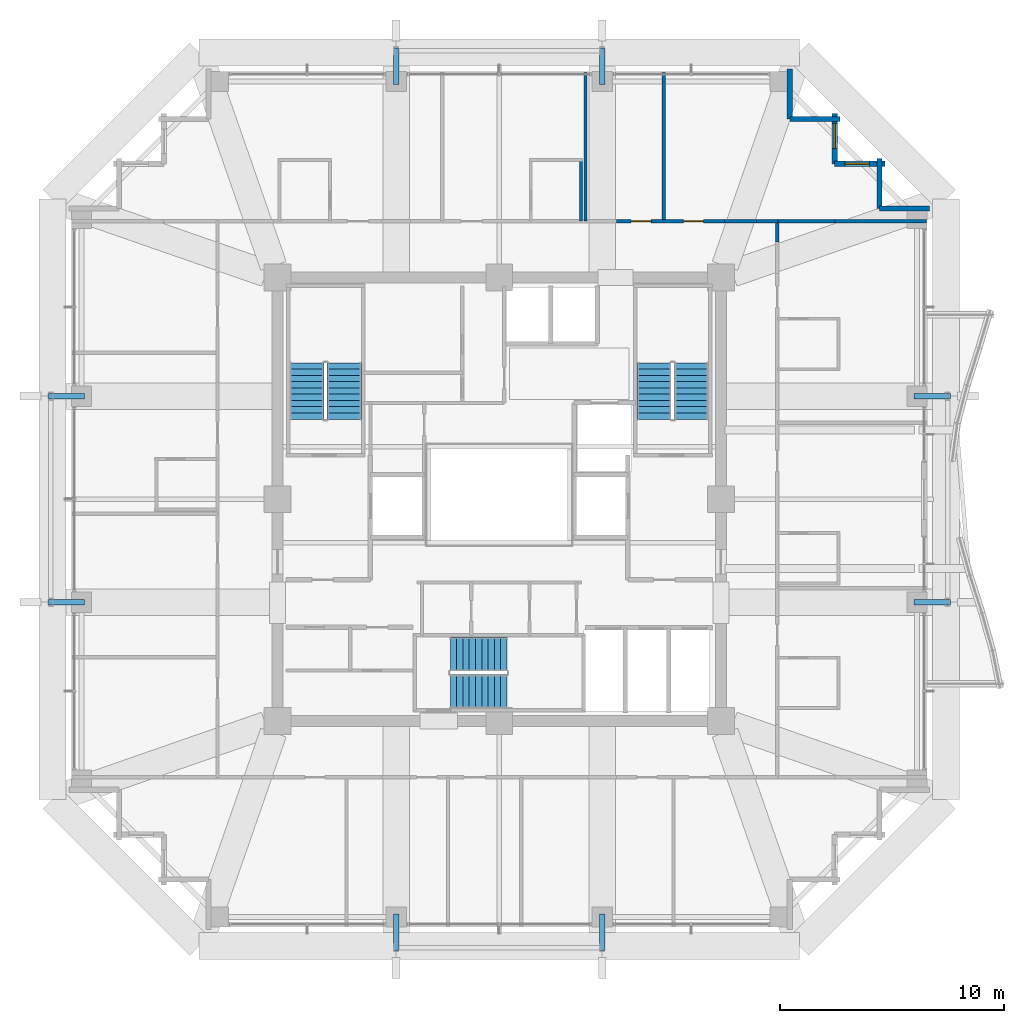
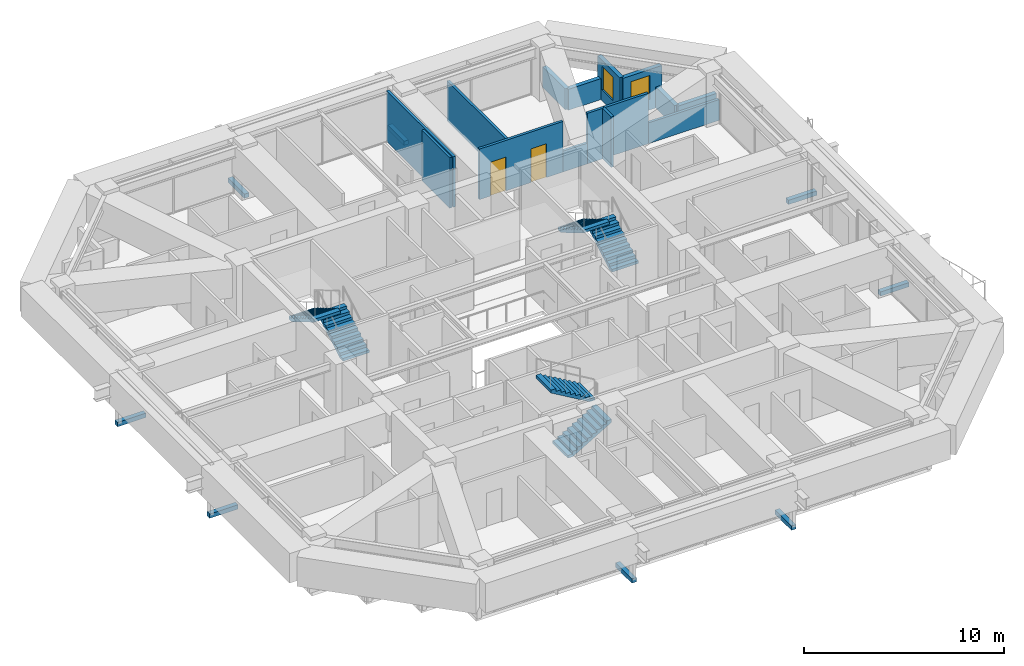
# One storey, part 38 of 40: 15 walls, 8 discrete accessories, 6 stair flights, 2 doors, 2 windows, 4 openings, 3 elements without a shape of their own.
"""IFC4 building model written with IfcOpenShell, lengths in metres."""

from ifc_helpers import new_model, si_unit, direction, frame, frame_2d, origin, origin_2d, place, context, subcontext, project, spatial, polyline, rectangle, outline, extrude, material, layer, layer_set, type_object, element, fill, aggregate, save


model = new_model("IFC4")

# Units and contexts
model_context = context("Model", 3, precision=1e-05, world=origin(), true_north=direction((0.0, 1.0)))
body_context = subcontext(model_context, "Body", "Model", "MODEL_VIEW")
ifc_project = project(units=[si_unit("LENGTHUNIT", "METRE"), si_unit("AREAUNIT", "SQUARE_METRE"), si_unit("VOLUMEUNIT", "CUBIC_METRE"), si_unit("PLANEANGLEUNIT", "RADIAN"), si_unit("MASSUNIT", "GRAM", prefix="KILO")], contexts=[model_context])

# Site, building, storey
site_placement = place(None, origin())
site = spatial("IfcSite", under=ifc_project, at=site_placement, CompositionType="ELEMENT")
building_placement = place(site_placement, origin())
building = spatial("IfcBuilding", under=site, at=building_placement, Name="Kolvaren Belvedere", CompositionType="ELEMENT")
storey_placement = place(building_placement, frame((0.0, 0.0, 170.10009765625)))
storey = spatial("IfcBuildingStorey", under=building, at=storey_placement, Name="L49", CompositionType="ELEMENT", Elevation=170.10009765625)

# Wall, openings, doors
ifc_material_1 = material(Name="Gypsum fire-rated partition assembly", Category="gypsum")
ifc_layer_1 = layer(ifc_material_1, 0.14990234375)
ifc_layer_set_1 = layer_set([ifc_layer_1], Name="Gypsum fire-rated partition assembly")
wall_type_1 = type_object("IfcWallType", Name="WL-CORR-150", PredefinedType="PARTITIONING", material=ifc_layer_set_1)
wall_1_placement = place(storey_placement, frame((5.241943359375, 12.419921875, 0.0), z_axis=(0.0, 0.0, 1.0), x_axis=(1.0, 0.0, 0.0)))
wall_1 = element("IfcWall", 1, at=wall_1_placement, inside=storey, type_object=wall_type_1, Name="L49 North Corridor Wall", PredefinedType="PARTITIONING", context=body_context, shape_type="SweptSolid", body=[
    extrude(rectangle(XDim=4.827392578125, YDim=0.14990234375, at=frame_2d((2.41357421875, 0.0))), origin(), (0.0, 0.0, 1.0), 3.079833984375),
])
opening_1_placement = place(wall_1_placement, frame((0.64404296875, 0.0, 0.0)))
opening_1 = element("IfcOpeningElement", 2, at=opening_1_placement, cuts=wall_1, Name="Opening D-INT90", PredefinedType="OPENING", context=body_context, shape_type="SweptSolid", body=[
    extrude(rectangle(XDim=0.89990234375, YDim=2.06005859375, at=frame_2d((0.449951171875, 1.030029296875))), frame((0.0, 0.0849609375, 0.0), z_axis=(0.0, -1.0, 0.0), x_axis=(1.0, 0.0, 0.0)), (0.0, 0.0, 1.0), 0.169921875),
])
opening_2_placement = place(wall_1_placement, frame((2.97900390625, 0.0, 0.0)))
opening_2 = element("IfcOpeningElement", 3, at=opening_2_placement, cuts=wall_1, Name="Opening D-INT90", PredefinedType="OPENING", context=body_context, shape_type="SweptSolid", body=[
    extrude(rectangle(XDim=0.89990234375, YDim=2.06005859375, at=frame_2d((0.449951171875, 1.030029296875))), frame((0.0, 0.0849609375, 0.0), z_axis=(0.0, -1.0, 0.0), x_axis=(1.0, 0.0, 0.0)), (0.0, 0.0, 1.0), 0.169921875),
])
ifc_material_2 = material(Name="Stained Pacific white oak", Category="timber")
door_type = type_object("IfcDoorType", Name="DR-INT-900", OperationType="NOTDEFINED", PredefinedType="DOOR", material=ifc_material_2)
door_1_placement = place(opening_1_placement, origin())
door_1 = element("IfcDoor", 4, at=door_1_placement, inside=storey, type_object=door_type, Name="L49 Lounge 4913 Door", OperationType="SINGLE_SWING_LEFT", OverallHeight=2.06005859375, OverallWidth=0.89990234375, PredefinedType="DOOR", context=body_context, shape_type="SweptSolid", body=[
    extrude(rectangle(XDim=0.89990234375, YDim=2.06005859375, at=frame_2d((0.449951171875, 1.030029296875))), frame((0.0, 0.02490234375, 0.0), z_axis=(0.0, -1.0, 0.0), x_axis=(1.0, 0.0, 0.0)), (0.0, 0.0, 1.0), 0.050048828125),
])
fill(opening_1, door_1)
door_2_placement = place(opening_2_placement, origin())
door_2 = element("IfcDoor", 5, at=door_2_placement, inside=storey, type_object=door_type, Name="L49 Lounge 4914 Door", OperationType="SINGLE_SWING_RIGHT", OverallHeight=2.06005859375, OverallWidth=0.89990234375, PredefinedType="DOOR", context=body_context, shape_type="SweptSolid", body=[
    extrude(rectangle(XDim=0.89990234375, YDim=2.06005859375, at=frame_2d((0.449951171875, 1.030029296875))), frame((0.0, 0.02490234375, 0.0), z_axis=(0.0, -1.0, 0.0), x_axis=(1.0, 0.0, 0.0)), (0.0, 0.0, 1.0), 0.050048828125),
])
fill(opening_2, door_2)

# Walls
wall_2_placement = place(storey_placement, frame((10.0693359375, 12.419921875, 0.0), z_axis=(0.0, 0.0, 1.0), x_axis=(1.0, 0.0, 0.0)))
element("IfcWall", 6, at=wall_2_placement, inside=storey, type_object=wall_type_1, Name="L49 North Corridor Wall", PredefinedType="PARTITIONING", context=body_context, shape_type="SweptSolid", body=[
    extrude(rectangle(XDim=1.416748046875, YDim=0.14990234375, at=frame_2d((0.70849609375, 0.0))), origin(), (0.0, 0.0, 1.0), 1.264892578125),
])
for number, where, z_axis, x_axis, name in (
    (7, (11.486083984375, 12.419921875, 0.0), (0.0, 0.0, 1.0), (1.0, 0.0, 0.0), "L49 North Corridor Wall"),
    (8, (12.419921875, 11.486083984375, 0.0), (0.0, 0.0, 1.0), (0.0, 1.0, 0.0), "L49 East Corridor Wall"),
):
    element("IfcWall", number, at=place(storey_placement, frame(where, z_axis=z_axis, x_axis=x_axis)), inside=storey, type_object=wall_type_1, Name=name, PredefinedType="PARTITIONING", context=body_context, shape_type="SweptSolid", body=[
        extrude(rectangle(XDim=0.933837890625, YDim=0.14990234375, at=frame_2d((0.466796875, 0.0))), origin(), (0.0, 0.0, 1.0), 3.079833984375),
    ])
ifc_material_3 = material(Name="Insulated pale-metal facade wall assembly", Category="aluminium")
ifc_layer_2 = layer(ifc_material_3, 0.239990234375)
ifc_layer_set_2 = layer_set([ifc_layer_2], Name="Insulated pale-metal facade wall assembly")
wall_type_2 = type_object("IfcWallType", Name="WL-EXT-240", PredefinedType="STANDARD", material=ifc_layer_set_2)
for number, where, z_axis, x_axis, name in (
    (9, (16.97998046875, 12.97998046875, 0.0), (0.0, 0.0, 1.0), (1.0, 0.0, 0.0), "L49 Serrated Corner Facade Wall 9"),
    (10, (16.97998046875, 15.219970703125, 0.0), (0.0, 0.0, 1.0), (0.0, -1.0, 0.0), "L49 Serrated Corner Facade Wall 10"),
):
    element("IfcWall", number, at=place(storey_placement, frame(where, z_axis=z_axis, x_axis=x_axis)), inside=storey, type_object=wall_type_2, Name=name, PredefinedType="STANDARD", context=body_context, shape_type="SweptSolid", body=[
        extrude(rectangle(XDim=2.239990234375, YDim=0.239990234375, at=frame_2d((1.1201171875, 0.0))), origin(), (0.0, 0.0, 1.0), 1.27490234375),
    ])

# Wall, opening, window
wall_3_placement = place(storey_placement, frame((14.97998046875, 14.97998046875, 0.0), z_axis=(0.0, 0.0, 1.0), x_axis=(1.0, 0.0, 0.0)))
wall_3 = element("IfcWall", 11, at=wall_3_placement, inside=storey, type_object=wall_type_2, Name="L49 Serrated Corner Facade Wall 11", PredefinedType="STANDARD", context=body_context, shape_type="SweptSolid", body=[
    extrude(rectangle(XDim=2.239990234375, YDim=0.239990234375, at=frame_2d((1.1201171875, 0.0))), origin(), (0.0, 0.0, 1.0), 2.462890625),
])
opening_3_placement = place(wall_3_placement, frame((0.449951171875, 0.0, 0.64990234375)))
opening_3 = element("IfcOpeningElement", 12, at=opening_3_placement, cuts=wall_3, Name="Opening W-1100", PredefinedType="OPENING", context=body_context, shape_type="SweptSolid", body=[
    extrude(rectangle(XDim=1.10009765625, YDim=1.449951171875, at=frame_2d((0.550048828125, 0.72509765625))), frame((0.0, 0.1298828125, 0.0), z_axis=(0.0, -1.0, 0.0), x_axis=(1.0, 0.0, 0.0)), (0.0, 0.0, 1.0), 0.260009765625),
])
ifc_material_4 = material(Name="Low-iron triple insulated glass", Category="glass")
window_type = type_object("IfcWindowType", Name="WN-CORN-1100", PartitioningType="SINGLE_PANEL", PredefinedType="WINDOW", material=ifc_material_4)
window_1_placement = place(opening_3_placement, origin())
window_1 = element("IfcWindow", 13, at=window_1_placement, inside=storey, type_object=window_type, Name="L49 Serrated Corner Vision Window 11", OverallHeight=1.449951171875, OverallWidth=1.10009765625, PartitioningType="SINGLE_PANEL", PredefinedType="WINDOW", context=body_context, shape_type="SweptSolid", body=[
    extrude(rectangle(XDim=1.10009765625, YDim=1.449951171875, at=frame_2d((0.550048828125, 0.72509765625))), frame((0.0, 0.030029296875, 0.0), z_axis=(0.0, -1.0, 0.0), x_axis=(1.0, 0.0, 0.0)), (0.0, 0.0, 1.0), 0.06005859375),
])
fill(opening_3, window_1)

wall_4_placement = place(storey_placement, frame((14.97998046875, 17.219970703125, 0.0), z_axis=(0.0, 0.0, 1.0), x_axis=(0.0, -1.0, 0.0)))
wall_4 = element("IfcWall", 14, at=wall_4_placement, inside=storey, type_object=wall_type_2, Name="L49 Serrated Corner Facade Wall 12", PredefinedType="STANDARD", context=body_context, shape_type="SweptSolid", body=[
    extrude(rectangle(XDim=2.239990234375, YDim=0.239990234375, at=frame_2d((1.1201171875, 0.0))), origin(), (0.0, 0.0, 1.0), 2.462890625),
])
opening_4_placement = place(wall_4_placement, frame((0.449951171875, 0.0, 0.64990234375)))
opening_4 = element("IfcOpeningElement", 15, at=opening_4_placement, cuts=wall_4, Name="Opening W-1100", PredefinedType="OPENING", context=body_context, shape_type="SweptSolid", body=[
    extrude(rectangle(XDim=1.10009765625, YDim=1.449951171875, at=frame_2d((0.550048828125, 0.72509765625))), frame((0.0, 0.1298828125, 0.0), z_axis=(0.0, -1.0, 0.0), x_axis=(1.0, 0.0, 0.0)), (0.0, 0.0, 1.0), 0.260009765625),
])
window_2_placement = place(opening_4_placement, origin())
window_2 = element("IfcWindow", 16, at=window_2_placement, inside=storey, type_object=window_type, Name="L49 Serrated Corner Vision Window 12", OverallHeight=1.449951171875, OverallWidth=1.10009765625, PartitioningType="SINGLE_PANEL", PredefinedType="WINDOW", context=body_context, shape_type="SweptSolid", body=[
    extrude(rectangle(XDim=1.10009765625, YDim=1.449951171875, at=frame_2d((0.550048828125, 0.72509765625))), frame((0.0, 0.030029296875, 0.0), z_axis=(0.0, -1.0, 0.0), x_axis=(1.0, 0.0, 0.0)), (0.0, 0.0, 1.0), 0.06005859375),
])
fill(opening_4, window_2)

# Walls
for number, where, z_axis, x_axis, name in (
    (17, (12.97998046875, 16.97998046875, 0.0), (0.0, 0.0, 1.0), (1.0, 0.0, 0.0), "L49 Serrated Corner Facade Wall 13"),
    (18, (12.97998046875, 19.219970703125, 0.0), (0.0, 0.0, 1.0), (0.0, -1.0, 0.0), "L49 Serrated Corner Facade Wall 14"),
):
    element("IfcWall", number, at=place(storey_placement, frame(where, z_axis=z_axis, x_axis=x_axis)), inside=storey, type_object=wall_type_2, Name=name, PredefinedType="STANDARD", context=body_context, shape_type="SweptSolid", body=[
        extrude(rectangle(XDim=2.239990234375, YDim=0.239990234375, at=frame_2d((1.1201171875, 0.0))), origin(), (0.0, 0.0, 1.0), 1.27490234375),
    ])
ifc_material_5 = material(Name="Gypsum acoustic partition assembly", Category="gypsum")
ifc_layer_3 = layer(ifc_material_5, 0.14990234375)
ifc_layer_set_3 = layer_set([ifc_layer_3], Name="Gypsum acoustic partition assembly")
wall_type_3 = type_object("IfcWallType", Name="WL-PART-150", PredefinedType="PARTITIONING", material=ifc_layer_set_3)
wall_5_placement = place(storey_placement, frame((12.419921875, 12.419921875, 0.0), z_axis=(0.0, 0.0, 1.0), x_axis=(1.0, 0.0, 0.0)))
element("IfcWall", 19, at=wall_5_placement, inside=storey, type_object=wall_type_3, Name="L49 Wing Divider PW-L49-QNE", PredefinedType="PARTITIONING", context=body_context, shape_type="SweptSolid", body=[
    extrude(rectangle(XDim=2.575439453125, YDim=0.14990234375, at=frame_2d((1.28759765625, 0.0))), origin(), (0.0, 0.0, 1.0), 3.079833984375),
])
wall_6_placement = place(storey_placement, frame((14.995361328125, 12.419921875, 0.0), z_axis=(0.0, 0.0, 1.0), x_axis=(1.0, 0.0, 0.0)))
element("IfcWall", 20, at=wall_6_placement, inside=storey, type_object=wall_type_3, Name="L49 Wing Divider PW-L49-QNE", PredefinedType="PARTITIONING", context=body_context, shape_type="SweptSolid", body=[
    extrude(rectangle(XDim=4.084716796875, YDim=0.14990234375, at=frame_2d((2.04248046875, 0.0))), origin(), (0.0, 0.0, 1.0), 1.264892578125),
])
wall_7_placement = place(storey_placement, frame((3.85205078125, 12.419921875, 0.0), z_axis=(0.0, 0.0, 1.0), x_axis=(0.0, 1.0, 0.0)))
element("IfcWall", 21, at=wall_7_placement, inside=storey, type_object=wall_type_3, Name="L49 North Suite Demising Wall 2", PredefinedType="PARTITIONING", context=body_context, shape_type="SweptSolid", body=[
    extrude(rectangle(XDim=6.66015625, YDim=0.14990234375, at=frame_2d((3.330078125, 0.0))), origin(), (0.0, 0.0, 1.0), 3.079833984375),
])
wall_8_placement = place(storey_placement, frame((7.35205078125, 12.419921875, 0.0), z_axis=(0.0, 0.0, 1.0), x_axis=(0.0, 1.0, 0.0)))
element("IfcWall", 22, at=wall_8_placement, inside=storey, type_object=wall_type_3, Name="L49 North Suite Demising Wall 3", PredefinedType="PARTITIONING", context=body_context, shape_type="SweptSolid", body=[
    extrude(rectangle(XDim=6.66015625, YDim=0.14990234375, at=frame_2d((3.330078125, 0.0))), origin(), (0.0, 0.0, 1.0), 2.452880859375),
])
ifc_material_6 = material(Name="Moisture-resistant gypsum partition", Category="gypsum")
ifc_layer_4 = layer(ifc_material_6, 0.125)
ifc_layer_set_4 = layer_set([ifc_layer_4], Name="Moisture-resistant gypsum partition")
wall_type_4 = type_object("IfcWallType", Name="WL-WET-125", PredefinedType="PARTITIONING", material=ifc_layer_set_4)
wall_9_placement = place(storey_placement, frame((3.656982421875, 12.43505859375, 0.0), z_axis=(0.0, 0.0, 1.0), x_axis=(0.0, 1.0, 0.0)))
element("IfcWall", 23, at=wall_9_placement, inside=storey, type_object=wall_type_4, Name="L49 Bathroom Partition PW-L49-BTH-12-W", PredefinedType="PARTITIONING", context=body_context, shape_type="SweptSolid", body=[
    extrude(rectangle(XDim=2.7900390625, YDim=0.125, at=frame_2d((1.39501953125, 0.0))), origin(), (0.0, 0.0, 1.0), 3.079833984375),
])

# Stair, stair flights
ifc_material_7 = material(Name="Concrete C50/60", Category="concrete")
stair_type = type_object("IfcStairType", Name="ST-CORE-1520", PredefinedType="HALF_TURN_STAIR", material=ifc_material_7)
stair_1_placement = place(storey_placement, origin())
stair_1 = element("IfcStair", 24, at=stair_1_placement, inside=storey, type_object=stair_type, Name="L49 Protected Exit Stair ST-1", PredefinedType="HALF_TURN_STAIR")
ifc_material_8 = material(Name="Concrete C50/60", Category="concrete")
stair_flight_type = type_object("IfcStairFlightType", Name="SF-STR-1520", PredefinedType="STRAIGHT", material=ifc_material_8)
stair_flight_1_placement = place(storey_placement, frame((-6.919921875, 3.570068359375, 0.0), z_axis=(0.0, 0.0, 1.0), x_axis=(0.0, 1.0, 0.0)))
stair_flight_1 = element("IfcStairFlight", 25, at=stair_flight_1_placement, type_object=stair_flight_type, Name="ST-1 flight 1", NumberOfRisers=10, NumberOfTreads=9, PredefinedType="STRAIGHT", RiserHeight=0.165, TreadLength=0.28, context=body_context, shape_type="SweptSolid", body=[
    extrude(outline(polyline([(0.0, 0.0), (0.0, 0.1650390625), (0.280029296875, 0.1650390625), (0.280029296875, 0.330078125), (0.56005859375, 0.330078125), (0.56005859375, 0.4951171875), (0.840087890625, 0.4951171875), (0.840087890625, 0.659912109375), (1.1201171875, 0.659912109375), (1.1201171875, 0.824951171875), (1.39990234375, 0.824951171875), (1.39990234375, 0.989990234375), (1.679931640625, 0.989990234375), (1.679931640625, 1.155029296875), (1.9599609375, 1.155029296875), (1.9599609375, 1.320068359375), (2.239990234375, 1.320068359375), (2.239990234375, 1.485107421875), (2.52001953125, 1.485107421875), (2.52001953125, 1.64990234375), (2.52001953125, 1.31103515625), (0.295166015625, 0.0), (0.0, 0.0)])), frame((0.0, 0.760009765625, 0.0), z_axis=(0.0, -1.0, 0.0), x_axis=(1.0, 0.0, 0.0)), (0.0, 0.0, 1.0), 1.52001953125),
])
stair_flight_2_placement = place(storey_placement, frame((-8.590087890625, 6.090087890625, 1.64990234375), z_axis=(0.0, 0.0, 1.0), x_axis=(0.0, -1.0, 0.0)))
stair_flight_2 = element("IfcStairFlight", 26, at=stair_flight_2_placement, type_object=stair_flight_type, Name="ST-1 flight 2", NumberOfRisers=10, NumberOfTreads=9, PredefinedType="STRAIGHT", RiserHeight=0.165, TreadLength=0.28, context=body_context, shape_type="SweptSolid", body=[
    extrude(outline(polyline([(0.0, 0.0), (0.0, 0.1650390625), (0.280029296875, 0.1650390625), (0.280029296875, 0.330078125), (0.56005859375, 0.330078125), (0.56005859375, 0.4951171875), (0.840087890625, 0.4951171875), (0.840087890625, 0.659912109375), (1.1201171875, 0.659912109375), (1.1201171875, 0.824951171875), (1.39990234375, 0.824951171875), (1.39990234375, 0.989990234375), (1.679931640625, 0.989990234375), (1.679931640625, 1.155029296875), (1.9599609375, 1.155029296875), (1.9599609375, 1.320068359375), (2.239990234375, 1.320068359375), (2.239990234375, 1.485107421875), (2.52001953125, 1.485107421875), (2.52001953125, 1.64990234375), (2.52001953125, 1.31103515625), (0.295166015625, 0.0), (0.0, 0.0)])), frame((0.0, 0.760009765625, 0.0), z_axis=(0.0, -1.0, 0.0), x_axis=(1.0, 0.0, 0.0)), (0.0, 0.0, 1.0), 1.52001953125),
])
aggregate(stair_1, [stair_flight_1, stair_flight_2])

stair_2_placement = place(storey_placement, origin())
stair_2 = element("IfcStair", 27, at=stair_2_placement, inside=storey, type_object=stair_type, Name="L49 Protected Exit Stair ST-2", PredefinedType="HALF_TURN_STAIR")
stair_flight_3_placement = place(storey_placement, frame((8.590087890625, 3.570068359375, 0.0), z_axis=(0.0, 0.0, 1.0), x_axis=(0.0, 1.0, 0.0)))
stair_flight_3 = element("IfcStairFlight", 28, at=stair_flight_3_placement, type_object=stair_flight_type, Name="ST-2 flight 1", NumberOfRisers=10, NumberOfTreads=9, PredefinedType="STRAIGHT", RiserHeight=0.165, TreadLength=0.28, context=body_context, shape_type="SweptSolid", body=[
    extrude(outline(polyline([(0.0, 0.0), (0.0, 0.1650390625), (0.280029296875, 0.1650390625), (0.280029296875, 0.330078125), (0.56005859375, 0.330078125), (0.56005859375, 0.4951171875), (0.840087890625, 0.4951171875), (0.840087890625, 0.659912109375), (1.1201171875, 0.659912109375), (1.1201171875, 0.824951171875), (1.39990234375, 0.824951171875), (1.39990234375, 0.989990234375), (1.679931640625, 0.989990234375), (1.679931640625, 1.155029296875), (1.9599609375, 1.155029296875), (1.9599609375, 1.320068359375), (2.239990234375, 1.320068359375), (2.239990234375, 1.485107421875), (2.52001953125, 1.485107421875), (2.52001953125, 1.64990234375), (2.52001953125, 1.31103515625), (0.295166015625, 0.0), (0.0, 0.0)])), frame((0.0, 0.760009765625, 0.0), z_axis=(0.0, -1.0, 0.0), x_axis=(1.0, 0.0, 0.0)), (0.0, 0.0, 1.0), 1.52001953125),
])
stair_flight_4_placement = place(storey_placement, frame((6.919921875, 6.090087890625, 1.64990234375), z_axis=(0.0, 0.0, 1.0), x_axis=(0.0, -1.0, 0.0)))
stair_flight_4 = element("IfcStairFlight", 29, at=stair_flight_4_placement, type_object=stair_flight_type, Name="ST-2 flight 2", NumberOfRisers=10, NumberOfTreads=9, PredefinedType="STRAIGHT", RiserHeight=0.165, TreadLength=0.28, context=body_context, shape_type="SweptSolid", body=[
    extrude(outline(polyline([(0.0, 0.0), (0.0, 0.1650390625), (0.280029296875, 0.1650390625), (0.280029296875, 0.330078125), (0.56005859375, 0.330078125), (0.56005859375, 0.4951171875), (0.840087890625, 0.4951171875), (0.840087890625, 0.659912109375), (1.1201171875, 0.659912109375), (1.1201171875, 0.824951171875), (1.39990234375, 0.824951171875), (1.39990234375, 0.989990234375), (1.679931640625, 0.989990234375), (1.679931640625, 1.155029296875), (1.9599609375, 1.155029296875), (1.9599609375, 1.320068359375), (2.239990234375, 1.320068359375), (2.239990234375, 1.485107421875), (2.52001953125, 1.485107421875), (2.52001953125, 1.64990234375), (2.52001953125, 1.31103515625), (0.295166015625, 0.0), (0.0, 0.0)])), frame((0.0, 0.760009765625, 0.0), z_axis=(0.0, -1.0, 0.0), x_axis=(1.0, 0.0, 0.0)), (0.0, 0.0, 1.0), 1.52001953125),
])
aggregate(stair_2, [stair_flight_3, stair_flight_4])

stair_3_placement = place(storey_placement, origin())
stair_3 = element("IfcStair", 30, at=stair_3_placement, inside=storey, type_object=stair_type, Name="L49 Protected Exit Stair ST-3", PredefinedType="HALF_TURN_STAIR")
stair_flight_5_placement = place(storey_placement, frame((-2.179931640625, -8.590087890625, 0.0), z_axis=(0.0, 0.0, 1.0), x_axis=(1.0, 0.0, 0.0)))
stair_flight_5 = element("IfcStairFlight", 31, at=stair_flight_5_placement, type_object=stair_flight_type, Name="ST-3 flight 1", NumberOfRisers=10, NumberOfTreads=9, PredefinedType="STRAIGHT", RiserHeight=0.165, TreadLength=0.28, context=body_context, shape_type="SweptSolid", body=[
    extrude(outline(polyline([(0.0, 0.0), (0.0, 0.1650390625), (0.280029296875, 0.1650390625), (0.280029296875, 0.330078125), (0.56005859375, 0.330078125), (0.56005859375, 0.4951171875), (0.840087890625, 0.4951171875), (0.840087890625, 0.659912109375), (1.1201171875, 0.659912109375), (1.1201171875, 0.824951171875), (1.39990234375, 0.824951171875), (1.39990234375, 0.989990234375), (1.679931640625, 0.989990234375), (1.679931640625, 1.155029296875), (1.9599609375, 1.155029296875), (1.9599609375, 1.320068359375), (2.239990234375, 1.320068359375), (2.239990234375, 1.485107421875), (2.52001953125, 1.485107421875), (2.52001953125, 1.64990234375), (2.52001953125, 1.31103515625), (0.295166015625, 0.0), (0.0, 0.0)])), frame((0.0, 0.760009765625, 0.0), z_axis=(0.0, -1.0, 0.0), x_axis=(1.0, 0.0, 0.0)), (0.0, 0.0, 1.0), 1.52001953125),
])
stair_flight_6_placement = place(storey_placement, frame((0.340087890625, -6.919921875, 1.64990234375), z_axis=(0.0, 0.0, 1.0), x_axis=(-1.0, 0.0, 0.0)))
stair_flight_6 = element("IfcStairFlight", 32, at=stair_flight_6_placement, type_object=stair_flight_type, Name="ST-3 flight 2", NumberOfRisers=10, NumberOfTreads=9, PredefinedType="STRAIGHT", RiserHeight=0.165, TreadLength=0.28, context=body_context, shape_type="SweptSolid", body=[
    extrude(outline(polyline([(0.0, 0.0), (0.0, 0.1650390625), (0.280029296875, 0.1650390625), (0.280029296875, 0.330078125), (0.56005859375, 0.330078125), (0.56005859375, 0.4951171875), (0.840087890625, 0.4951171875), (0.840087890625, 0.659912109375), (1.1201171875, 0.659912109375), (1.1201171875, 0.824951171875), (1.39990234375, 0.824951171875), (1.39990234375, 0.989990234375), (1.679931640625, 0.989990234375), (1.679931640625, 1.155029296875), (1.9599609375, 1.155029296875), (1.9599609375, 1.320068359375), (2.239990234375, 1.320068359375), (2.239990234375, 1.485107421875), (2.52001953125, 1.485107421875), (2.52001953125, 1.64990234375), (2.52001953125, 1.31103515625), (0.295166015625, 0.0), (0.0, 0.0)])), frame((0.0, 0.760009765625, 0.0), z_axis=(0.0, -1.0, 0.0), x_axis=(1.0, 0.0, 0.0)), (0.0, 0.0, 1.0), 1.52001953125),
])
aggregate(stair_3, [stair_flight_5, stair_flight_6])

# Discrete accessories
ifc_material_9 = material(Name="Structural steel ASTM A572 Grade 50", Category="steel")
discrete_accessory_type = type_object("IfcDiscreteAccessoryType", Name="BRK-1 Steel Facade Support Bracket", PredefinedType="BRACKET", material=ifc_material_9)
for number, where, z_axis, x_axis, name in (
    (33, (-4.60009765625, 19.3349609375, -0.169921875), (0.0, 0.0, 1.0), (0.0, 1.0, 0.0), "L49 Picture-Frame Outrigger Cleat Bracket N1"),
    (34, (4.60009765625, 19.3349609375, -0.169921875), (0.0, 0.0, 1.0), (0.0, 1.0, 0.0), "L49 Picture-Frame Outrigger Cleat Bracket N2"),
    (35, (4.60009765625, -19.3349609375, -0.169921875), (0.0, 0.0, 1.0), (0.0, 1.0, 0.0), "L49 Picture-Frame Outrigger Cleat Bracket S1"),
    (36, (-4.60009765625, -19.3349609375, -0.169921875), (0.0, 0.0, 1.0), (0.0, 1.0, 0.0), "L49 Picture-Frame Outrigger Cleat Bracket S2"),
    (37, (19.3349609375, 4.60009765625, -0.169921875), (0.0, 0.0, 1.0), (1.0, 0.0, 0.0), "L49 Picture-Frame Outrigger Cleat Bracket E1"),
    (38, (19.3349609375, -4.60009765625, -0.169921875), (0.0, 0.0, 1.0), (1.0, 0.0, 0.0), "L49 Picture-Frame Outrigger Cleat Bracket E2"),
    (39, (-19.3349609375, -4.60009765625, -0.169921875), (0.0, 0.0, 1.0), (1.0, 0.0, 0.0), "L49 Picture-Frame Outrigger Cleat Bracket W1"),
    (40, (-19.3349609375, 4.60009765625, -0.169921875), (0.0, 0.0, 1.0), (1.0, 0.0, 0.0), "L49 Picture-Frame Outrigger Cleat Bracket W2"),
):
    element("IfcDiscreteAccessory", number, at=place(storey_placement, frame(where, z_axis=z_axis, x_axis=x_axis)), inside=storey, type_object=discrete_accessory_type, Name=name, PredefinedType="BRACKET", context=body_context, shape_type="SweptSolid", body=[
        extrude(rectangle(XDim=1.639892578125, YDim=0.260009765625, at=origin_2d()), origin(), (0.0, 0.0, 1.0), 0.260009765625),
    ])

save(model, "model.ifc")
